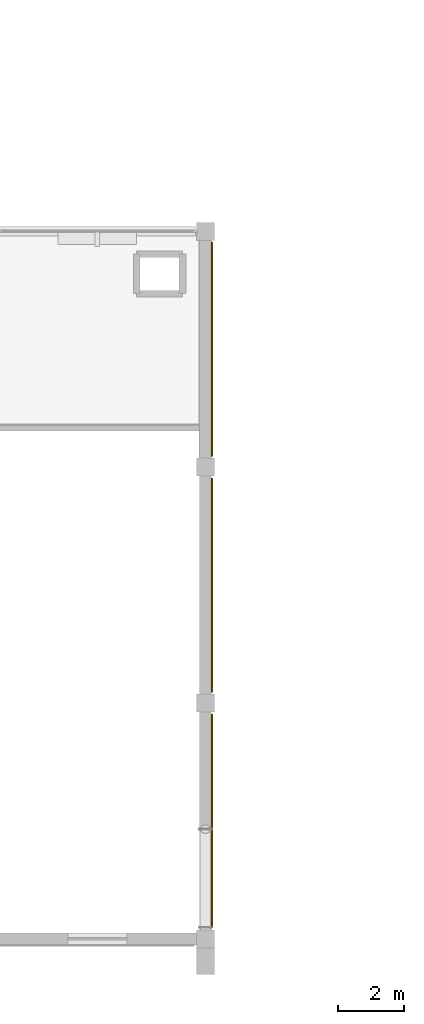
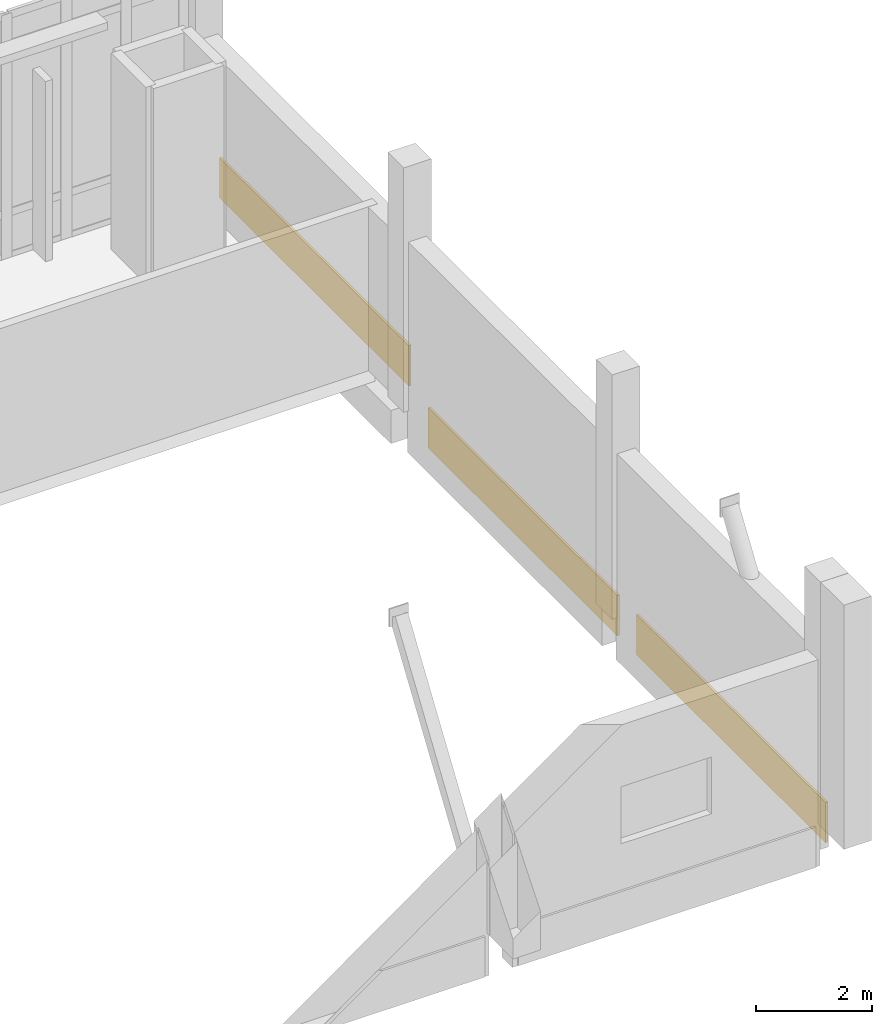
# One storey, part 133 of 134: 3 coverings.
"""IFC4 building model written with IfcOpenShell, lengths in metres."""

from ifc_helpers import new_model, si_unit, direction, frame, origin, origin_2d, place, context, subcontext, project, spatial, rectangle, extrude, material, layer, layer_set, type_object, element, save


model = new_model("IFC4")

# Units and contexts
model_context = context("Model", 3, precision=1e-05, world=origin(), true_north=direction((0.0, 1.0)))
body_context = subcontext(model_context, "Body", "Model", "MODEL_VIEW")
ifc_project = project(units=[si_unit("LENGTHUNIT", "METRE"), si_unit("AREAUNIT", "SQUARE_METRE"), si_unit("VOLUMEUNIT", "CUBIC_METRE"), si_unit("PLANEANGLEUNIT", "RADIAN"), si_unit("MASSUNIT", "GRAM", prefix="KILO")], contexts=[model_context])

# Site, building, storey
site_placement = place(None, origin())
site = spatial("IfcSite", under=ifc_project, at=site_placement, CompositionType="ELEMENT")
building_placement = place(site_placement, origin())
building = spatial("IfcBuilding", under=site, at=building_placement, Name="Kalluvel Institute of Natural Sciences", CompositionType="ELEMENT")
storey_placement = place(building_placement, frame((0.0, 0.0, 5.39990234375)))
storey = spatial("IfcBuildingStorey", under=building, at=storey_placement, Name="L01", CompositionType="ELEMENT", Elevation=5.39990234375)

# Coverings
ifc_material = material(Name="Sadarahalli Grey Granite Ashlar Concrete M40", Category="masonry")
ifc_layer = layer(ifc_material, 0.044921875)
ifc_layer_set = layer_set([ifc_layer], Name="Sadarahalli Grey Granite Ashlar Concrete M40")
covering_type = type_object("IfcCoveringType", Name="COV-CLAD-STONE", PredefinedType="CLADDING", material=ifc_layer_set)
for number, where, z_axis, x_axis, name in (
    (1, (142.60009765625, 17.60009765625, -0.875), (0.0, 0.0, 1.0), (0.0, 1.0, 0.0), "L01 Sadarahalli granite plinth spandrel cladding 372"),
    (2, (142.60009765625, 24.800048828125, -0.875), (0.0, 0.0, 1.0), (0.0, 1.0, 0.0), "L01 Sadarahalli granite plinth spandrel cladding 373"),
    (3, (142.60009765625, 32.0, 0.025146484375), (0.0, 0.0, 1.0), (0.0, 1.0, 0.0), "L01 Sadarahalli granite plinth spandrel cladding 374"),
):
    element("IfcCovering", number, at=place(storey_placement, frame(where, z_axis=z_axis, x_axis=x_axis)), inside=storey, type_object=covering_type, Name=name, PredefinedType="CLADDING", context=body_context, shape_type="SweptSolid", body=[
        extrude(rectangle(XDim=6.530029296875, YDim=0.044921875, at=origin_2d()), origin(), (0.0, 0.0, 1.0), 0.85009765625),
    ])

save(model, "model.ifc")
